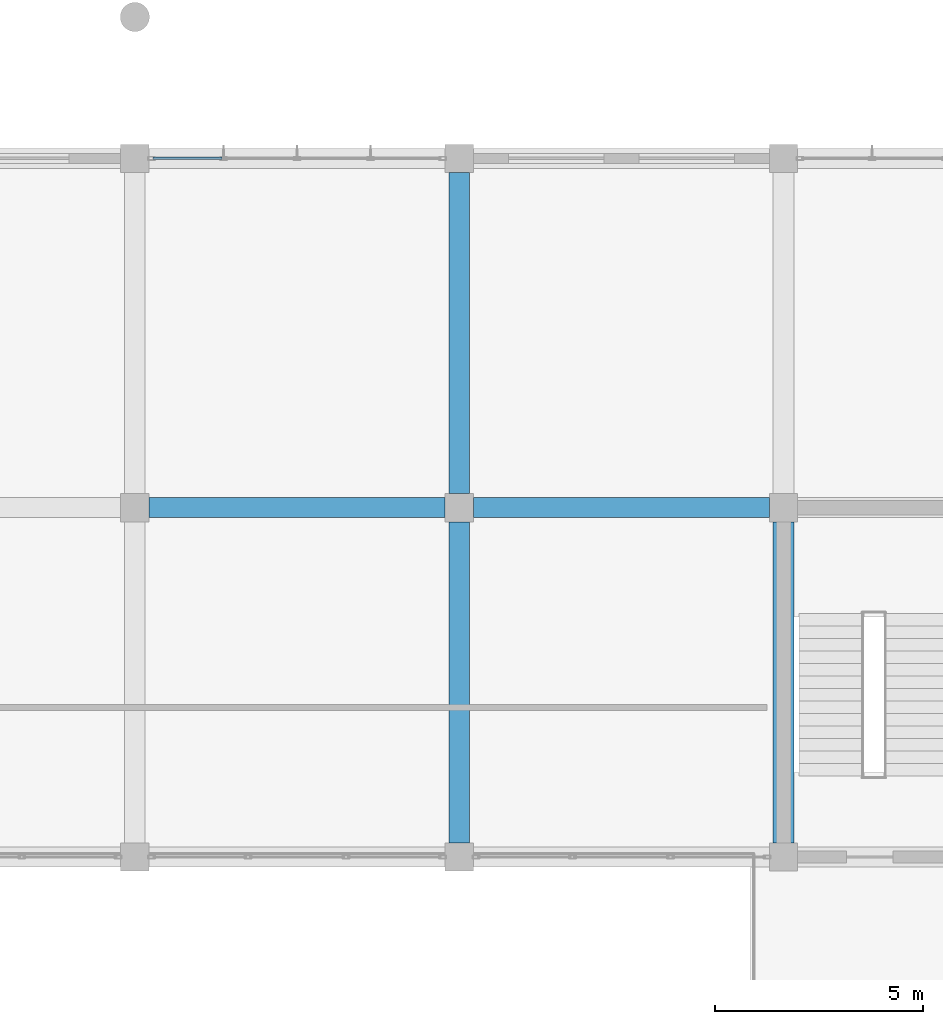
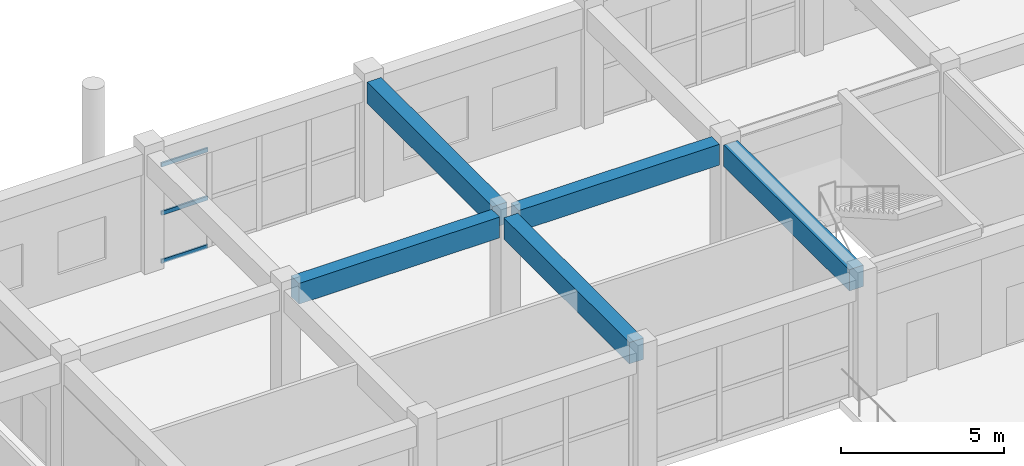
# One storey, part 113 of 175: 5 beams, 3 members, 1 element without a shape of its own.
"""IFC4 building model written with IfcOpenShell, lengths in metres."""

from ifc_helpers import new_model, si_unit, direction, frame, origin, origin_2d, place, context, subcontext, project, spatial, rectangle, hollow_rectangle, extrude, material, layer, layer_set, material_profile, profile_set, type_object, element, aggregate, save


model = new_model("IFC4")

# Units and contexts
model_context = context("Model", 3, precision=1e-05, world=origin(), true_north=direction((0.0, 1.0)))
body_context = subcontext(model_context, "Body", "Model", "MODEL_VIEW")
ifc_project = project(units=[si_unit("LENGTHUNIT", "METRE"), si_unit("AREAUNIT", "SQUARE_METRE"), si_unit("VOLUMEUNIT", "CUBIC_METRE"), si_unit("PLANEANGLEUNIT", "RADIAN"), si_unit("MASSUNIT", "GRAM", prefix="KILO")], contexts=[model_context])

# Site, building, storey
site_placement = place(None, origin())
site = spatial("IfcSite", under=ifc_project, at=site_placement, CompositionType="ELEMENT")
building_placement = place(site_placement, origin())
building = spatial("IfcBuilding", under=site, at=building_placement, Name="Zizhar Promenade General Hospital", CompositionType="ELEMENT")
storey_placement = place(building_placement, frame((0.0, 0.0, 4.800048828125)))
storey = spatial("IfcBuildingStorey", under=building, at=storey_placement, Name="L01", CompositionType="ELEMENT", Elevation=4.800048828125)

# Beams
ifc_material_1 = material(Name="Concrete C35/45", Category="concrete")
ifc_material_profile_1 = material_profile(ifc_material_1, rectangle(XDim=0.47998046875, YDim=0.780029296875, at=origin_2d()))
ifc_profile_set_1 = profile_set([ifc_material_profile_1], Name="Concrete C35/45")
beam_type_1 = type_object("IfcBeamType", Name="BM-RC-480x780", PredefinedType="BEAM", material=ifc_profile_set_1)
beam_1_placement = place(storey_placement, frame((156.340087890625, 100.800048828125, 4.079833984375), z_axis=(1.0, 0.0, 0.0), x_axis=(0.0, 1.0, 0.0)))
element("IfcBeam", 1, at=beam_1_placement, inside=storey, type_object=beam_type_1, Name="Grid Beam X L01 (20-12)", PredefinedType="BEAM", context=body_context, shape_type="SweptSolid", body=[
    extrude(rectangle(XDim=0.47998046875, YDim=0.780029296875, at=origin_2d()), origin(), (0.0, 0.0, 1.0), 7.119873046875),
])
beam_2_placement = place(storey_placement, frame((164.139892578125, 100.800048828125, 4.079833984375), z_axis=(1.0, 0.0, 0.0), x_axis=(0.0, 1.0, 0.0)))
element("IfcBeam", 2, at=beam_2_placement, inside=storey, type_object=beam_type_1, Name="Grid Beam X L01 (21-12)", PredefinedType="BEAM", context=body_context, shape_type="SweptSolid", body=[
    extrude(rectangle(XDim=0.47998046875, YDim=0.780029296875, at=origin_2d()), origin(), (0.0, 0.0, 1.0), 7.1201171875),
])
ifc_material_2 = material(Name="Concrete C35/45", Category="concrete")
ifc_material_profile_2 = material_profile(ifc_material_2, rectangle(XDim=0.5, YDim=0.800048828125, at=origin_2d()))
ifc_profile_set_2 = profile_set([ifc_material_profile_2], Name="Concrete C35/45")
beam_type_2 = type_object("IfcBeamType", Name="BM-RC-500x800", PredefinedType="BEAM", material=ifc_profile_set_2)
beam_3_placement = place(storey_placement, frame((163.800048828125, 92.739990234375, 4.070068359375), z_axis=(0.0, 1.0, 0.0), x_axis=(-1.0, 0.0, 0.0)))
element("IfcBeam", 3, at=beam_3_placement, inside=storey, type_object=beam_type_2, Name="Grid Beam Y L01 (21-11)", PredefinedType="BEAM", context=body_context, shape_type="SweptSolid", body=[
    extrude(rectangle(XDim=0.5, YDim=0.800048828125, at=origin_2d()), origin(), (0.0, 0.0, 1.0), 7.719970703125),
])
beam_4_placement = place(storey_placement, frame((163.800048828125, 101.139892578125, 4.070068359375), z_axis=(0.0, 1.0, 0.0), x_axis=(-1.0, 0.0, 0.0)))
element("IfcBeam", 4, at=beam_4_placement, inside=storey, type_object=beam_type_2, Name="Grid Beam Y L01 (21-12)", PredefinedType="BEAM", context=body_context, shape_type="SweptSolid", body=[
    extrude(rectangle(XDim=0.5, YDim=0.800048828125, at=origin_2d()), origin(), (0.0, 0.0, 1.0), 7.72021484375),
])
beam_5_placement = place(storey_placement, frame((171.60009765625, 92.739990234375, 4.070068359375), z_axis=(0.0, 1.0, 0.0), x_axis=(-1.0, 0.0, 0.0)))
element("IfcBeam", 5, at=beam_5_placement, inside=storey, type_object=beam_type_2, Name="Grid Beam Y L01 (22-11)", PredefinedType="BEAM", context=body_context, shape_type="SweptSolid", body=[
    extrude(rectangle(XDim=0.5, YDim=0.800048828125, at=origin_2d()), origin(), (0.0, 0.0, 1.0), 7.719970703125),
])

# Curtain wall, members
ifc_material_3 = material(Name="Anodised aluminium 6063-T6 and low-E glass", Category="aluminium")
ifc_layer = layer(ifc_material_3, 0.159912109375)
ifc_layer_set = layer_set([ifc_layer], Name="Anodised aluminium 6063-T6 and low-E glass")
curtain_wall_type = type_object("IfcCurtainWallType", Name="CW-CLN-EXT", PredefinedType="NOTDEFINED", material=ifc_layer_set)
curtain_wall_placement = place(storey_placement, origin())
curtain_wall = element("IfcCurtainWall", 6, at=curtain_wall_placement, inside=storey, type_object=curtain_wall_type, Name="Outpatient North Curtain Wall L01-20", PredefinedType="NOTDEFINED")
ifc_material_4 = material(Name="Anodised aluminium 6063-T6", Category="aluminium")
ifc_material_profile_3 = material_profile(ifc_material_4, hollow_rectangle(XDim=0.06005859375, YDim=0.14990234375, WallThickness=0.00390625, at=origin_2d()))
ifc_profile_set_3 = profile_set([ifc_material_profile_3], Name="Anodised aluminium 6063-T6")
member_type = type_object("IfcMemberType", Name="CWT-ALU-150x60", PredefinedType="USERDEFINED", material=ifc_profile_set_3)
member_1_placement = place(storey_placement, frame((156.43994140625, 109.199951171875, 0.030029296875), z_axis=(1.0, 0.0, 0.0), x_axis=(0.0, 1.0, 0.0)))
member_1 = element("IfcMember", 7, at=member_1_placement, type_object=member_type, Name="CW-09 transom 1.1", ObjectType="TRANSOM", PredefinedType="USERDEFINED", context=body_context, shape_type="SweptSolid", body=[
    extrude(hollow_rectangle(XDim=0.06005859375, YDim=0.14990234375, WallThickness=0.00390625, at=origin_2d()), origin(), (0.0, 0.0, 1.0), 1.650146484375),
])
member_2_placement = place(storey_placement, frame((156.43994140625, 109.199951171875, 1.83984375), z_axis=(1.0, 0.0, 0.0), x_axis=(0.0, 1.0, 0.0)))
member_2 = element("IfcMember", 8, at=member_2_placement, type_object=member_type, Name="CW-09 transom 1.2", ObjectType="TRANSOM", PredefinedType="USERDEFINED", context=body_context, shape_type="SweptSolid", body=[
    extrude(hollow_rectangle(XDim=0.06005859375, YDim=0.14990234375, WallThickness=0.00390625, at=origin_2d()), origin(), (0.0, 0.0, 1.0), 1.650146484375),
])
member_3_placement = place(storey_placement, frame((156.43994140625, 109.199951171875, 3.64990234375), z_axis=(1.0, 0.0, 0.0), x_axis=(0.0, 1.0, 0.0)))
member_3 = element("IfcMember", 9, at=member_3_placement, type_object=member_type, Name="CW-09 transom 1.3", ObjectType="TRANSOM", PredefinedType="USERDEFINED", context=body_context, shape_type="SweptSolid", body=[
    extrude(hollow_rectangle(XDim=0.06005859375, YDim=0.14990234375, WallThickness=0.00390625, at=origin_2d()), origin(), (0.0, 0.0, 1.0), 1.650146484375),
])
aggregate(curtain_wall, [member_1, member_2, member_3])

save(model, "model.ifc")
